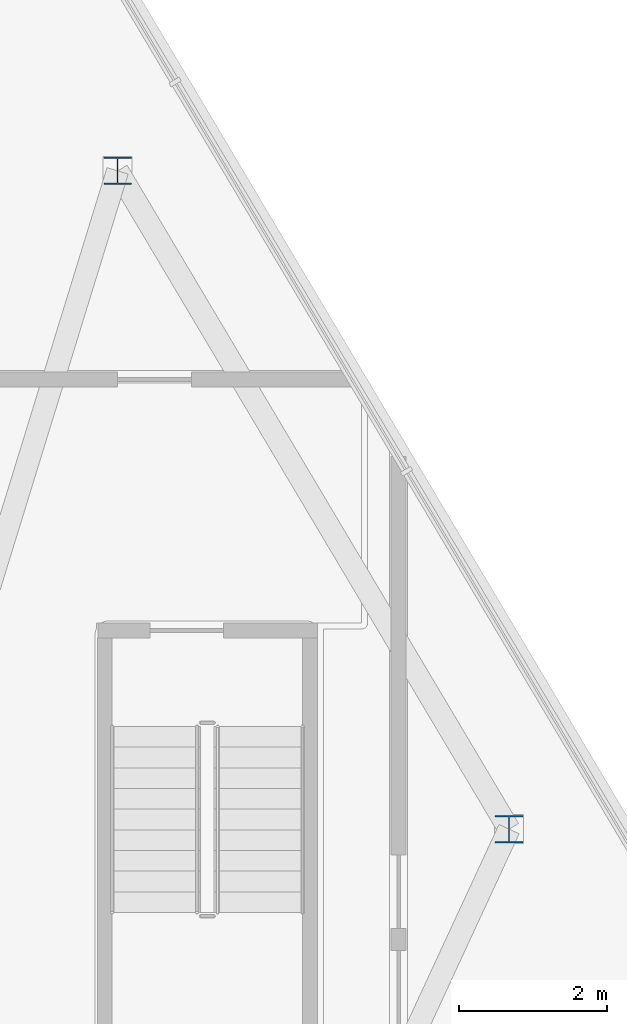
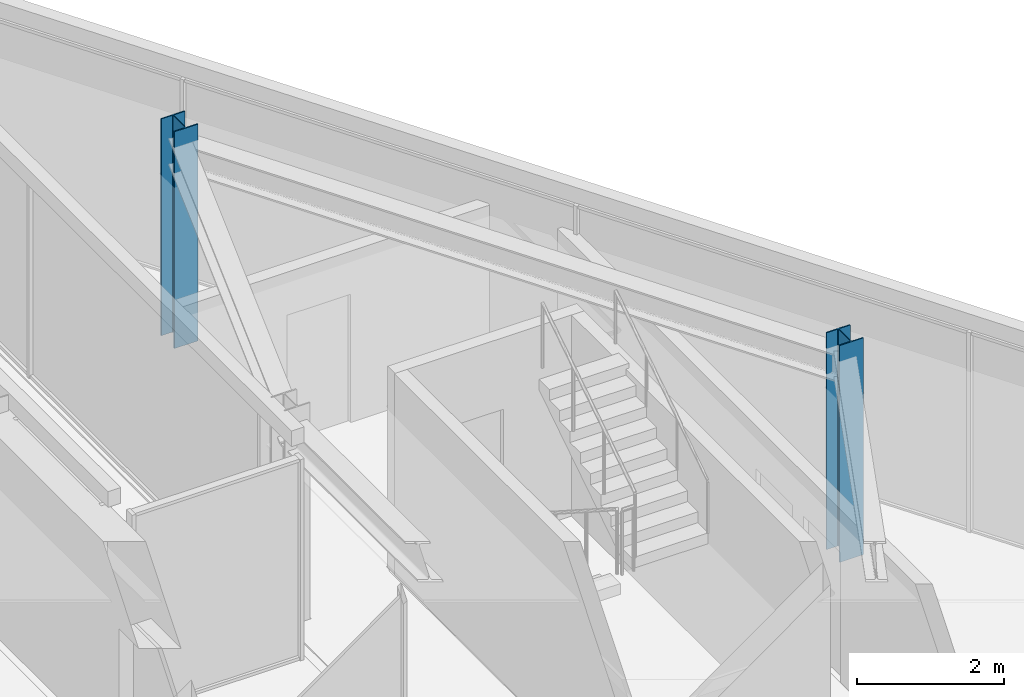
# One storey, part 2 of 15: 2 columns.
"""IFC4 building model written with IfcOpenShell, lengths in metres."""

from ifc_helpers import new_model, si_unit, direction, frame, origin, origin_2d, place, context, subcontext, project, spatial, i_section, extrude, material, material_profile, profile_set, type_object, element, save


model = new_model("IFC4")

# Units and contexts
model_context = context("Model", 3, precision=1e-05, world=origin(), true_north=direction((0.0, 1.0)))
body_context = subcontext(model_context, "Body", "Model", "MODEL_VIEW")
ifc_project = project(units=[si_unit("LENGTHUNIT", "METRE"), si_unit("AREAUNIT", "SQUARE_METRE"), si_unit("VOLUMEUNIT", "CUBIC_METRE"), si_unit("PLANEANGLEUNIT", "RADIAN"), si_unit("MASSUNIT", "GRAM", prefix="KILO")], contexts=[model_context])

# Site, building, storey
site_placement = place(None, origin())
site = spatial("IfcSite", under=ifc_project, at=site_placement, CompositionType="ELEMENT")
building_placement = place(site_placement, origin())
building = spatial("IfcBuilding", under=site, at=building_placement, Name="Savorim Split Tower", CompositionType="ELEMENT")
storey_placement = place(building_placement, frame((0.0, 0.0, 297.60009765625)))
storey = spatial("IfcBuildingStorey", under=building, at=storey_placement, Name="Crown L79 Plant", CompositionType="ELEMENT", Elevation=297.60009765625)

# Columns
ifc_material = material(Name="Steel S355", Category="steel")
ifc_material_profile = material_profile(ifc_material, i_section(OverallWidth=0.3740234375, OverallDepth=0.3720703125, WebThickness=0.01220703125, FlangeThickness=0.02001953125, FilletRadius=0.014892578125, at=origin_2d()), Name="HD 360x196")
ifc_profile_set = profile_set([ifc_material_profile], Name="Steel S355")
column_type = type_object("IfcColumnType", Name="COL-HD-196", PredefinedType="COLUMN", material=ifc_profile_set)
for number, where, z_axis, x_axis, name in (
    (1, (18.44580078125, -4.239990234375, 0.0), (0.0, 0.0, 1.0), (1.0, 0.0, 0.0), "Crown L79 Plant East Crown Column EC-2"),
    (2, (13.144287109375, 4.675537109375, 0.0), (0.0, 0.0, 1.0), (1.0, 0.0, 0.0), "Crown L79 Plant East Crown Column EC-3"),
):
    element("IfcColumn", number, at=place(storey_placement, frame(where, z_axis=z_axis, x_axis=x_axis)), inside=storey, type_object=column_type, Name=name, PredefinedType="COLUMN", context=body_context, shape_type="SweptSolid", body=[
        extrude(i_section(OverallWidth=0.3740234375, OverallDepth=0.3720703125, WebThickness=0.01220703125, FlangeThickness=0.02001953125, FilletRadius=0.014892578125, at=origin_2d()), origin(), (0.0, 0.0, 1.0), 3.599853515625),
    ])

save(model, "model.ifc")
